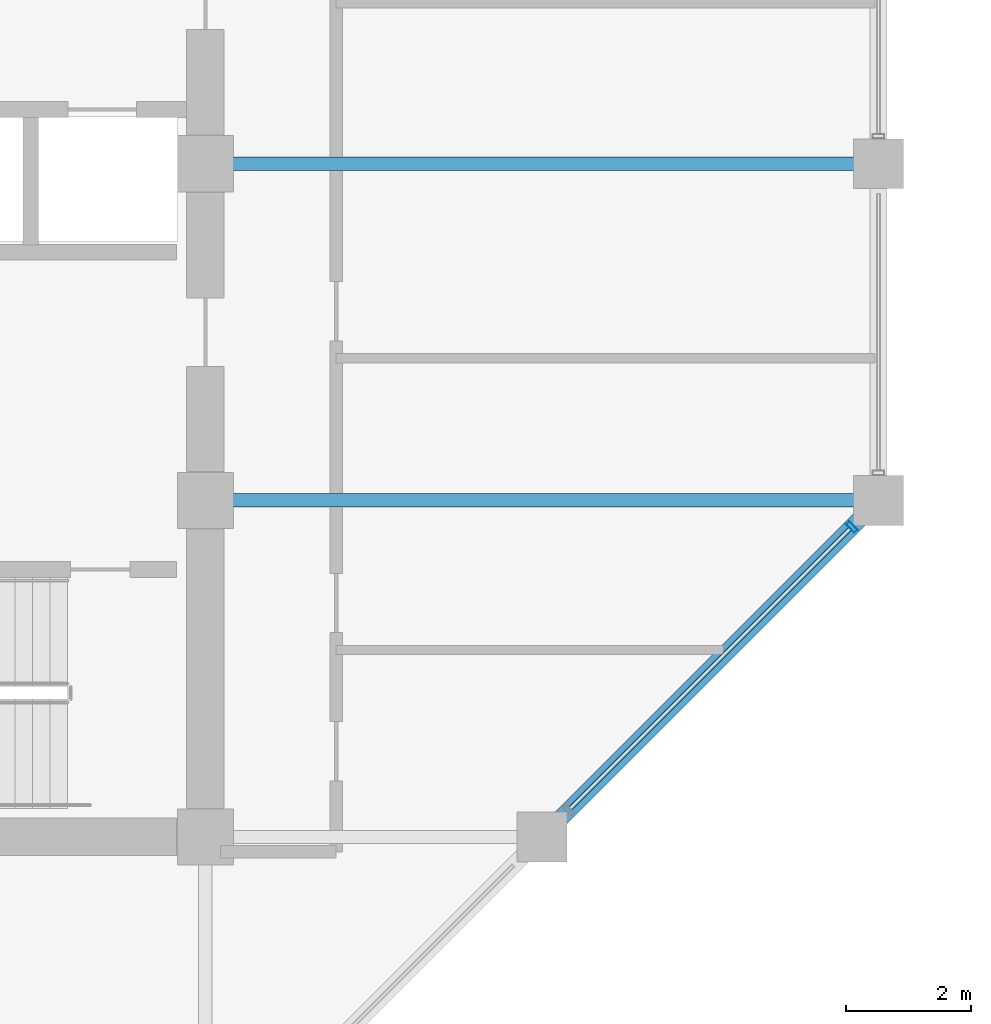
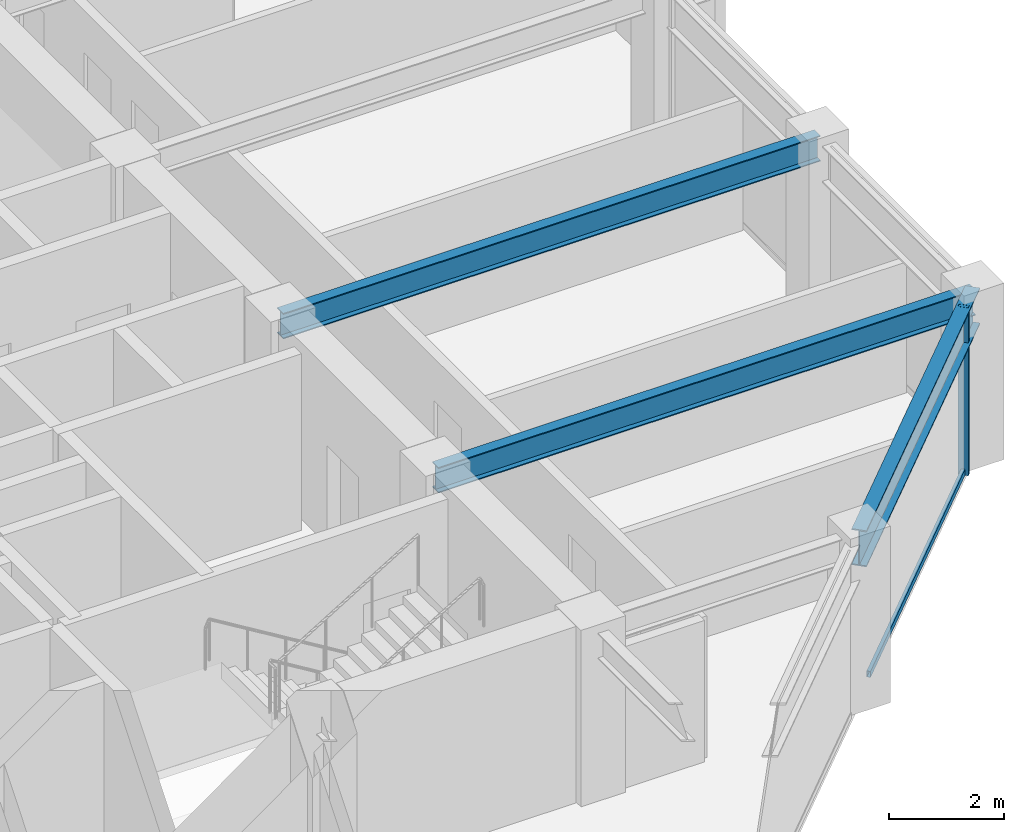
# One storey, part 11 of 30: 3 beams, 2 members, 1 element without a shape of its own.
"""IFC4 building model written with IfcOpenShell, lengths in metres."""

from ifc_helpers import new_model, si_unit, direction, frame, origin, origin_2d, place, context, subcontext, project, spatial, hollow_rectangle, i_section, extrude, material, layer, layer_set, material_profile, profile_set, type_object, element, aggregate, save


model = new_model("IFC4")

# Units and contexts
model_context = context("Model", 3, precision=1e-05, world=origin(), true_north=direction((0.0, 1.0)))
body_context = subcontext(model_context, "Body", "Model", "MODEL_VIEW")
ifc_project = project(units=[si_unit("LENGTHUNIT", "METRE"), si_unit("AREAUNIT", "SQUARE_METRE"), si_unit("VOLUMEUNIT", "CUBIC_METRE"), si_unit("PLANEANGLEUNIT", "RADIAN"), si_unit("MASSUNIT", "GRAM", prefix="KILO")], contexts=[model_context])

# Site, building, storey
site_placement = place(None, origin())
site = spatial("IfcSite", under=ifc_project, at=site_placement, CompositionType="ELEMENT")
building_placement = place(site_placement, origin())
building = spatial("IfcBuilding", under=site, at=building_placement, Name="Surkhivell Harbour Commons", CompositionType="ELEMENT")
storey_placement = place(building_placement, frame((0.0, 0.0, 231.0)))
storey = spatial("IfcBuildingStorey", under=building, at=storey_placement, Name="L60", CompositionType="ELEMENT", Elevation=231.0)

# Beams
ifc_material_1 = material(Name="Steel S355", Category="steel")
ifc_material_profile_1 = material_profile(ifc_material_1, i_section(OverallWidth=0.2119140625, OverallDepth=0.5439453125, WebThickness=0.0126953125, FlangeThickness=0.021240234375, at=origin_2d()), Name="UB533x210x122")
ifc_profile_set_1 = profile_set([ifc_material_profile_1], Name="Steel S355")
beam_type_1 = type_object("IfcBeamType", Name="BM-GRD-533A", PredefinedType="BEAM", material=ifc_profile_set_1)
for number, where, z_axis, x_axis, name in (
    (1, (10.800048828125, -5.39990234375, 3.298095703125), (1.0, 0.0, 0.0), (0.0, 1.0, 0.0), "L60 Floor Girder (10.8,-5.4)"),
    (2, (10.800048828125, 0.0, 3.298095703125), (1.0, 0.0, 0.0), (0.0, 1.0, 0.0), "L60 Floor Girder (10.8,0.0)"),
):
    element("IfcBeam", number, at=place(storey_placement, frame(where, z_axis=z_axis, x_axis=x_axis)), inside=storey, type_object=beam_type_1, Name=name, PredefinedType="BEAM", context=body_context, shape_type="SweptSolid", body=[
        extrude(i_section(OverallWidth=0.2119140625, OverallDepth=0.5439453125, WebThickness=0.0126953125, FlangeThickness=0.021240234375, at=origin_2d()), origin(), (0.0, 0.0, 1.0), 10.800048828125),
    ])
ifc_material_profile_2 = material_profile(ifc_material_1, i_section(OverallWidth=0.26806640625, OverallDepth=0.77001953125, WebThickness=0.015625, FlangeThickness=0.025390625, at=origin_2d()), Name="UB762x267x197")
ifc_profile_set_2 = profile_set([ifc_material_profile_2], Name="Steel S355")
beam_type_2 = type_object("IfcBeamType", Name="BM-SPN-762", PredefinedType="SPANDREL", material=ifc_profile_set_2)
beam_placement = place(storey_placement, frame((16.199951171875, -10.800048828125, 3.18505859375), z_axis=(0.707106781187, 0.707106781187, 0.0), x_axis=(-0.707106781187, 0.707106781187, 0.0)))
element("IfcBeam", 3, at=beam_placement, inside=storey, type_object=beam_type_2, Name="L60 Tube Spandrel (16.2,-10.8)", PredefinedType="SPANDREL", context=body_context, shape_type="SweptSolid", body=[
    extrude(i_section(OverallWidth=0.26806640625, OverallDepth=0.77001953125, WebThickness=0.015625, FlangeThickness=0.025390625, at=origin_2d()), origin(), (0.0, 0.0, 1.0), 7.636962890625),
])

# Curtain wall, members
ifc_material_2 = material(Name="Anodised pale-metal aluminium and insulated glazing", Category="aluminium")
ifc_layer = layer(ifc_material_2, 0.18994140625)
ifc_layer_set = layer_set([ifc_layer], Name="Anodised pale-metal aluminium and insulated glazing")
curtain_wall_type = type_object("IfcCurtainWallType", Name="CW-SYS-Z3", PredefinedType="NOTDEFINED", material=ifc_layer_set)
curtain_wall_placement = place(storey_placement, origin())
curtain_wall = element("IfcCurtainWall", 4, at=curtain_wall_placement, inside=storey, type_object=curtain_wall_type, Name="L60 Curtain Wall CW-L60-E01", PredefinedType="NOTDEFINED")
ifc_material_3 = material(Name="Anodised pale-metal aluminium alloy 6063-T6", Category="aluminium")
ifc_material_profile_3 = material_profile(ifc_material_3, hollow_rectangle(XDim=0.074951171875, YDim=0.18994140625, WallThickness=0.00390625, at=origin_2d()), Name="ALU-MULL-75x190")
ifc_profile_set_3 = profile_set([ifc_material_profile_3], Name="Anodised pale-metal aluminium alloy 6063-T6")
member_type_1 = type_object("IfcMemberType", Name="CWM-190", PredefinedType="MULLION", material=ifc_profile_set_3)
member_1_placement = place(storey_placement, frame((21.171875, -5.828125, 0.0), z_axis=(0.0, 0.0, 1.0), x_axis=(0.707106781187, 0.707106781187, 0.0)))
member_1 = element("IfcMember", 5, at=member_1_placement, type_object=member_type_1, Name="CW-Z3 mullion 4", PredefinedType="MULLION", context=body_context, shape_type="SweptSolid", body=[
    extrude(hollow_rectangle(XDim=0.074951171875, YDim=0.18994140625, WallThickness=0.00390625, at=origin_2d()), origin(), (0.0, 0.0, 1.0), 3.570068359375),
])
ifc_material_4 = material(Name="Champagne anodised aluminium alloy 6063-T6", Category="aluminium")
ifc_material_profile_4 = material_profile(ifc_material_4, hollow_rectangle(XDim=0.070068359375, YDim=0.1298828125, WallThickness=0.00341796875, at=origin_2d()), Name="ALU-TRAN-70x130")
ifc_profile_set_4 = profile_set([ifc_material_profile_4], Name="Champagne anodised aluminium alloy 6063-T6")
member_type_2 = type_object("IfcMemberType", Name="CWT-130", PredefinedType="USERDEFINED", material=ifc_profile_set_4)
member_2_placement = place(storey_placement, frame((16.65478515625, -10.34521484375, 0.06494140625), z_axis=(0.707106781187, 0.707106781187, 0.0), x_axis=(-0.707106781187, 0.707106781187, 0.0)))
member_2 = element("IfcMember", 6, at=member_2_placement, type_object=member_type_2, Name="CW-Z3 transom 3.1", ObjectType="TRANSOM", PredefinedType="USERDEFINED", context=body_context, shape_type="SweptSolid", body=[
    extrude(hollow_rectangle(XDim=0.070068359375, YDim=0.1298828125, WallThickness=0.00341796875, at=origin_2d()), origin(), (0.0, 0.0, 1.0), 6.3505859375),
])
aggregate(curtain_wall, [member_1, member_2])

save(model, "model.ifc")
